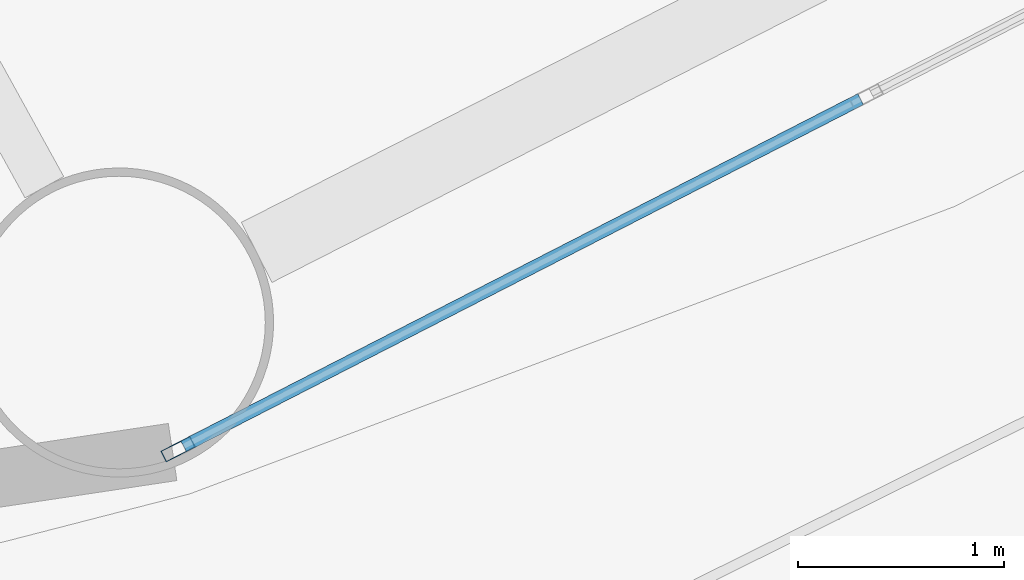
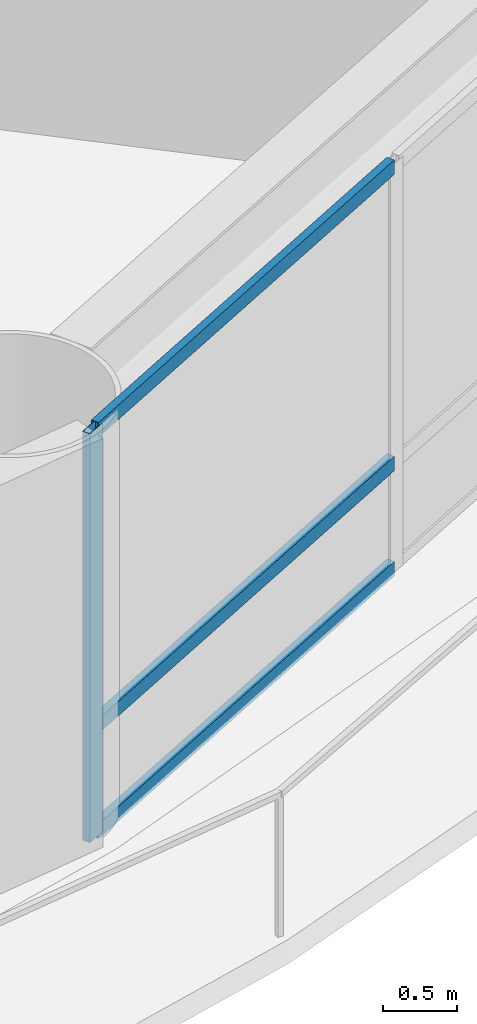
# One storey, part 6 of 26: 4 members, 1 element without a shape of its own.
"""IFC4 building model written with IfcOpenShell, lengths in metres."""

from ifc_helpers import new_model, si_unit, direction, frame, origin, origin_2d, place, context, subcontext, project, spatial, hollow_rectangle, extrude, material, layer, layer_set, material_profile, profile_set, type_object, element, aggregate, save


model = new_model("IFC4")

# Units and contexts
model_context = context("Model", 3, precision=1e-05, world=origin(), true_north=direction((0.0, 1.0)))
body_context = subcontext(model_context, "Body", "Model", "MODEL_VIEW")
ifc_project = project(units=[si_unit("LENGTHUNIT", "METRE"), si_unit("AREAUNIT", "SQUARE_METRE"), si_unit("VOLUMEUNIT", "CUBIC_METRE"), si_unit("PLANEANGLEUNIT", "RADIAN"), si_unit("MASSUNIT", "GRAM", prefix="KILO")], contexts=[model_context])

# Site, building, storey
site_placement = place(None, origin())
site = spatial("IfcSite", under=ifc_project, at=site_placement, CompositionType="ELEMENT")
building_placement = place(site_placement, origin())
building = spatial("IfcBuilding", under=site, at=building_placement, Name="Sarneth Arch Tower", CompositionType="ELEMENT")
storey_placement = place(building_placement, frame((0.0, 0.0, 64.199951171875)))
storey = spatial("IfcBuildingStorey", under=building, at=storey_placement, Name="L15", CompositionType="ELEMENT", Elevation=64.199951171875)

# Curtain wall, members
ifc_material_1 = material(Name="Anodised aluminium Type AA25 and solar-control low-e laminated IGU", Category="aluminium")
ifc_layer = layer(ifc_material_1, 0.159912109375)
ifc_layer_set = layer_set([ifc_layer], Name="Anodised aluminium Type AA25 and solar-control low-e laminated IGU")
curtain_wall_type = type_object("IfcCurtainWallType", Name="CW-HOTEL-LOW", PredefinedType="NOTDEFINED", material=ifc_layer_set)
curtain_wall_placement = place(storey_placement, origin())
curtain_wall = element("IfcCurtainWall", 1, at=curtain_wall_placement, inside=storey, type_object=curtain_wall_type, Name="L15 Unitised curtain wall facet 14", PredefinedType="NOTDEFINED")
ifc_material_2 = material(Name="Anodised Aluminium 6063-T6", Category="aluminium")
ifc_material_profile_1 = material_profile(ifc_material_2, hollow_rectangle(XDim=0.06005859375, YDim=0.159912109375, WallThickness=0.00390625, at=origin_2d()), Name="AL-MULL-160x60x4")
ifc_profile_set_1 = profile_set([ifc_material_profile_1], Name="Anodised Aluminium 6063-T6")
member_type_1 = type_object("IfcMemberType", Name="CW-MULLION", PredefinedType="MULLION", material=ifc_profile_set_1)
member_1_placement = place(storey_placement, frame((60.1044921875, 19.951416015625, 0.0), z_axis=(0.0, 0.0, 1.0), x_axis=(-0.456245197127, 0.889854100456, 0.0)))
member_1 = element("IfcMember", 2, at=member_1_placement, type_object=member_type_1, Name="CW-SYS-3 mullion 1", PredefinedType="MULLION", context=body_context, shape_type="SweptSolid", body=[
    extrude(hollow_rectangle(XDim=0.06005859375, YDim=0.159912109375, WallThickness=0.00390625, at=origin_2d()), origin(), (0.0, 0.0, 1.0), 3.380126953125),
])
ifc_material_3 = material(Name="Anodised Aluminium 6063-T6", Category="aluminium")
ifc_material_profile_2 = material_profile(ifc_material_3, hollow_rectangle(XDim=0.06005859375, YDim=0.1201171875, WallThickness=0.00390625, at=origin_2d()), Name="AL-TRAN-120x60x4")
ifc_profile_set_2 = profile_set([ifc_material_profile_2], Name="Anodised Aluminium 6063-T6")
member_type_2 = type_object("IfcMemberType", Name="CW-TRANSOM", PredefinedType="USERDEFINED", material=ifc_profile_set_2)
member_2_placement = place(storey_placement, frame((60.13134765625, 19.965087890625, 0.030029296875), z_axis=(0.889831232102, 0.456289796485, 0.0), x_axis=(-0.456289796485, 0.889831232102, 0.0)))
member_2 = element("IfcMember", 3, at=member_2_placement, type_object=member_type_2, Name="CW-SYS-3 transom 1.1", ObjectType="TRANSOM", PredefinedType="USERDEFINED", context=body_context, shape_type="SweptSolid", body=[
    extrude(hollow_rectangle(XDim=0.06005859375, YDim=0.1201171875, WallThickness=0.00390625, at=origin_2d()), origin(), (0.0, 0.0, 1.0), 3.69189453125),
])
member_3_placement = place(storey_placement, frame((60.13134765625, 19.965087890625, 0.900146484375), z_axis=(0.889831232102, 0.456289796485, 0.0), x_axis=(-0.456289796485, 0.889831232102, 0.0)))
member_3 = element("IfcMember", 4, at=member_3_placement, type_object=member_type_2, Name="CW-SYS-3 transom 1.2", ObjectType="TRANSOM", PredefinedType="USERDEFINED", context=body_context, shape_type="SweptSolid", body=[
    extrude(hollow_rectangle(XDim=0.06005859375, YDim=0.1201171875, WallThickness=0.00390625, at=origin_2d()), origin(), (0.0, 0.0, 1.0), 3.69189453125),
])
member_4_placement = place(storey_placement, frame((60.13134765625, 19.965087890625, 3.35009765625), z_axis=(0.889831232102, 0.456289796485, 0.0), x_axis=(-0.456289796485, 0.889831232102, 0.0)))
member_4 = element("IfcMember", 5, at=member_4_placement, type_object=member_type_2, Name="CW-SYS-3 transom 1.3", ObjectType="TRANSOM", PredefinedType="USERDEFINED", context=body_context, shape_type="SweptSolid", body=[
    extrude(hollow_rectangle(XDim=0.06005859375, YDim=0.1201171875, WallThickness=0.00390625, at=origin_2d()), origin(), (0.0, 0.0, 1.0), 3.69189453125),
])
aggregate(curtain_wall, [member_1, member_2, member_3, member_4])

save(model, "model.ifc")
